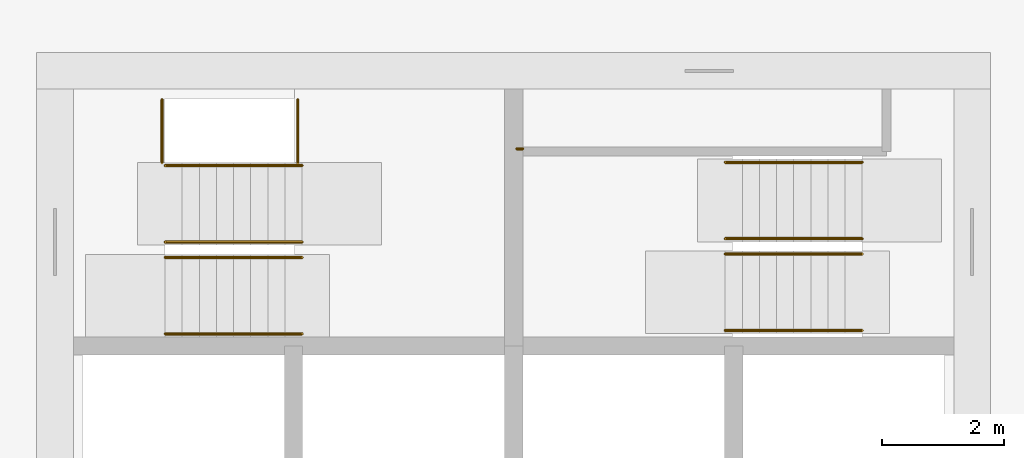
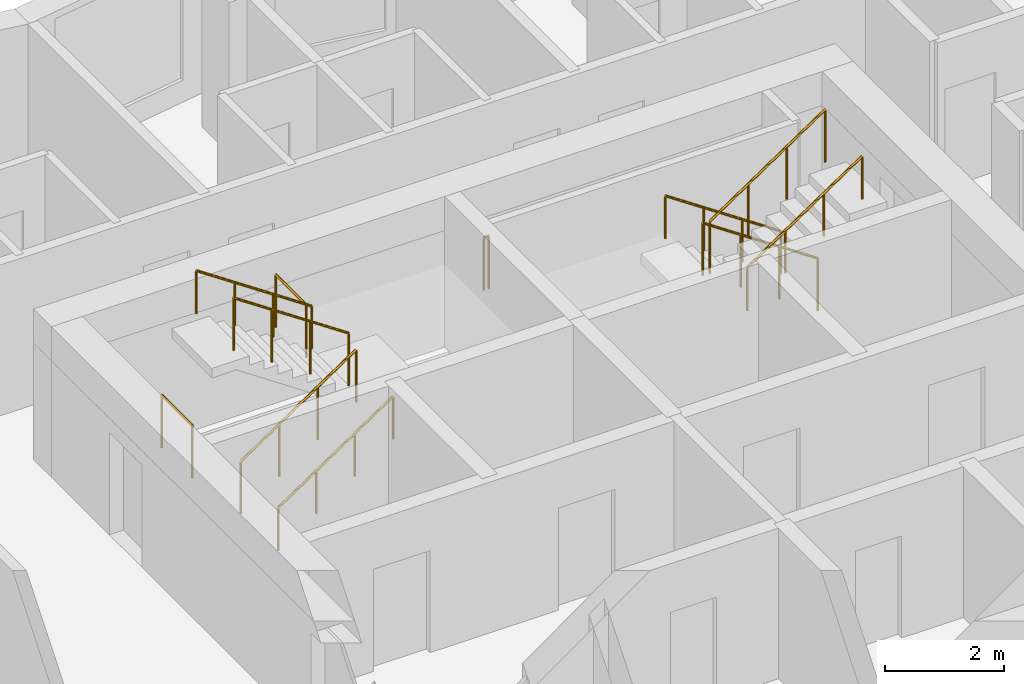
# One storey, part 11 of 13: 11 railings.
"""IFC4 building model written with IfcOpenShell, lengths in metres."""

import ifcopenshell
import ifcopenshell.guid

model = None  # the IFC model being written
_history = None  # IfcOwnerHistory: only IFC2X3 demands one
_inside = {}  # id of a spatial element -> (the spatial element, [elements in it])
_under = {}  # id of a project, library or spatial element -> (it, [spatial elements below it])
_declared = {}  # id of a project -> (the project, [libraries it declares])
_typed = {}  # id of a type object -> (the type object, [elements of that type])
_made_of = {}  # id of a material, layer set ... -> (it, [elements and type objects made of it])


def new_model(schema):
    """Start an empty IFC model of exactly this schema.

    Asked for "IFC4X3", IfcOpenShell would pick the latest addendum, in which some entities
    have other attributes; the version numbers below select the first issue.
    IFC2X3 requires an IfcOwnerHistory on every rooted entity: one is made here for all.
    """
    global model, _history
    if schema == "IFC4X3":
        model = ifcopenshell.file(schema_version=(4, 3, 0, 0))
    else:
        model = ifcopenshell.file(schema=schema)
    _inside.clear()
    _under.clear()
    _declared.clear()
    _typed.clear()
    _made_of.clear()
    _history = None
    if model.schema == "IFC2X3":
        org = make("IfcOrganization", Name="unknown")
        user = make(
            "IfcPersonAndOrganization",
            ThePerson=make("IfcPerson", FamilyName="unknown"),
            TheOrganization=org,
        )
        app = make(
            "IfcApplication",
            ApplicationDeveloper=org,
            Version="unknown",
            ApplicationFullName="unknown",
            ApplicationIdentifier="unknown",
        )
        _history = make(
            "IfcOwnerHistory",
            OwningUser=user,
            OwningApplication=app,
            ChangeAction="ADDED",
            CreationDate=0,
        )
    return model


def make(cls, **values):
    """One entity of the class cls with the attributes given. An attribute that is None is left unset."""
    return model.create_entity(
        cls, **{name: value for name, value in values.items() if value is not None}
    )


def rooted(cls, **values):
    """An entity with a GlobalId (a new one), such as an element, a storey or a relation."""
    return make(cls, GlobalId=ifcopenshell.guid.new(), OwnerHistory=_history, **values)


def si_unit(unit_type, name, prefix=None):
    """IfcSIUnit, for example si_unit("LENGTHUNIT", "METRE", prefix="MILLI")."""
    return make("IfcSIUnit", UnitType=unit_type, Prefix=prefix, Name=name)


def assignment(units):
    """IfcUnitAssignment: the units of a project."""
    return None if units is None else make("IfcUnitAssignment", Units=units)


def point(xyz):
    """IfcCartesianPoint."""
    return None if xyz is None else make("IfcCartesianPoint", Coordinates=xyz)


def direction(xyz):
    """IfcDirection."""
    return None if xyz is None else make("IfcDirection", DirectionRatios=xyz)


def frame(location, z_axis=None, x_axis=None):
    """IfcAxis2Placement3D, a coordinate frame: its origin and axes. An axis left out is left unset."""
    return make(
        "IfcAxis2Placement3D",
        Location=point(location),
        Axis=direction(z_axis),
        RefDirection=direction(x_axis),
    )


def frame_2d(location, x_axis=None):
    """IfcAxis2Placement2D, a coordinate frame in the plane: its origin and x axis."""
    return make(
        "IfcAxis2Placement2D", Location=point(location), RefDirection=direction(x_axis)
    )


def origin():
    """The frame at (0, 0, 0) with its axes left unset."""
    return frame((0.0, 0.0, 0.0))


def origin_2d():
    """The frame at (0, 0) in the plane with its x axis left unset."""
    return frame_2d((0.0, 0.0))


def place(relative_to, where):
    """IfcLocalPlacement: puts the frame where relative to a parent placement (None: the world)."""
    return make(
        "IfcLocalPlacement", PlacementRelTo=relative_to, RelativePlacement=where
    )


def context(
    kind, dimensions, precision=None, world=None, true_north=None, identifier=None
):
    """IfcGeometricRepresentationContext, for example the 3D "Model" context."""
    return make(
        "IfcGeometricRepresentationContext",
        ContextIdentifier=identifier,
        ContextType=kind,
        CoordinateSpaceDimension=dimensions,
        Precision=precision,
        WorldCoordinateSystem=world,
        TrueNorth=true_north,
    )


def subcontext(parent, identifier, kind, view, scale=None):
    """IfcGeometricRepresentationSubContext, for example "Body" below "Model"."""
    return make(
        "IfcGeometricRepresentationSubContext",
        ContextIdentifier=identifier,
        ContextType=kind,
        ParentContext=parent,
        TargetScale=scale,
        TargetView=view,
    )


def project(units=None, contexts=None):
    """IfcProject with its units and contexts."""
    return rooted(
        "IfcProject",
        Name="project",
        RepresentationContexts=contexts,
        UnitsInContext=assignment(units),
    )


def spatial(cls, under=None, at=None, **own):
    """A site, building, storey or space (cls), placed at a placement, below another one or the project."""
    s = rooted(cls, ObjectPlacement=at, **own)
    if under is not None:
        _under.setdefault(under.id(), (under, []))[1].append(s)
    return s


def profile(cls, at=None, kind="AREA", **sizes):
    """A parametric profile (cls). Its sizes go by their IFC names, for example OverallWidth=200.0."""
    return make(cls, ProfileType=kind, Position=at, **sizes)


def circle(**sizes):
    """IfcCircleProfileDef."""
    return profile("IfcCircleProfileDef", **sizes)


def extrude(swept, where, along, depth):
    """IfcExtrudedAreaSolid: the profile swept, set in the frame where, extruded along a direction by depth."""
    return make(
        "IfcExtrudedAreaSolid",
        SweptArea=swept,
        Position=where,
        ExtrudedDirection=direction(along),
        Depth=depth,
    )


def shape(context_of_items, identifier, shape_type, items):
    """IfcShapeRepresentation: the items that make up one representation, for example the "Body"."""
    return make(
        "IfcShapeRepresentation",
        ContextOfItems=context_of_items,
        RepresentationIdentifier=identifier,
        RepresentationType=shape_type,
        Items=items,
    )


def material(Name=None, Category=None):
    """IfcMaterial."""
    return make("IfcMaterial", Name=Name, Category=Category)


def made_of(thing, what):
    """Note that an element or type object is made of a material, layer set ...; save() writes the relation."""
    if what is not None:
        _made_of.setdefault(what.id(), (what, []))[1].append(thing)
    return thing


def type_object(cls, material=None, **own):
    """A type object (cls), such as IfcWallType, which elements share."""
    return made_of(rooted(cls, **own), material)


def element(
    cls,
    number,
    at=None,
    inside=None,
    cuts=None,
    type_object=None,
    material=None,
    context=None,
    identifier="Body",
    shape_type=None,
    held_by="IfcProductDefinitionShape",
    body=None,
    shapes=None,
    **own,
):
    """One element of the class cls, such as IfcWall. Its Tag is "e" and its number.

    at: its placement. inside: the storey or other place that contains it. cuts: it is an
    opening in that element (IfcRelVoidsElement). A single representation is given by context,
    identifier, shape_type and body (its items); several are given by shapes. held_by: the class
    of the entity that holds the representations. save() writes the other relations.
    """
    e = rooted(cls, Tag="e%d" % number, ObjectPlacement=at, **own)
    if body is not None:
        shapes = [shape(context, identifier, shape_type, body)]
    if shapes is not None:
        e.Representation = make(held_by, Representations=shapes)
    if inside is not None:
        _inside.setdefault(inside.id(), (inside, []))[1].append(e)
    if cuts is not None:
        rooted(
            "IfcRelVoidsElement", RelatingBuildingElement=cuts, RelatedOpeningElement=e
        )
    if type_object is not None:
        _typed.setdefault(type_object.id(), (type_object, []))[1].append(e)
    return made_of(e, material)


def aggregate(whole, parts):
    """IfcRelAggregates: a whole, such as a stair, and the parts it consists of."""
    return rooted("IfcRelAggregates", RelatingObject=whole, RelatedObjects=parts)


def save(model, path):
    """Write the relations noted so far, then the file.

    IfcRelAggregates (storeys below a building ...), IfcRelContainedInSpatialStructure (elements
    in a storey), IfcRelDefinesByType, IfcRelAssociatesMaterial and IfcRelDeclares: one each for
    every whole, place, type object, material and project.
    """
    for whole, parts in _under.values():
        aggregate(whole, parts)
    for where, things in _inside.values():
        rooted(
            "IfcRelContainedInSpatialStructure",
            RelatedElements=things,
            RelatingStructure=where,
        )
    for kind, things in _typed.values():
        rooted("IfcRelDefinesByType", RelatedObjects=things, RelatingType=kind)
    for what, things in _made_of.values():
        rooted("IfcRelAssociatesMaterial", RelatedObjects=things, RelatingMaterial=what)
    for by, libraries in _declared.values():
        rooted("IfcRelDeclares", RelatingContext=by, RelatedDefinitions=libraries)
    model.write(path)


model = new_model("IFC4")

# Units and contexts
model_context = context("Model", 3, precision=1e-05, world=origin(), true_north=direction((0.0, 1.0)))
body_context = subcontext(model_context, "Body", "Model", "MODEL_VIEW")
ifc_project = project(units=[si_unit("LENGTHUNIT", "METRE"), si_unit("AREAUNIT", "SQUARE_METRE"), si_unit("VOLUMEUNIT", "CUBIC_METRE"), si_unit("PLANEANGLEUNIT", "RADIAN"), si_unit("MASSUNIT", "GRAM", prefix="KILO")], contexts=[model_context])

# Site, building, storey
site_placement = place(None, origin())
site = spatial("IfcSite", under=ifc_project, at=site_placement, CompositionType="ELEMENT")
building_placement = place(site_placement, origin())
building = spatial("IfcBuilding", under=site, at=building_placement, Name="Windrow Commons", CompositionType="ELEMENT")
storey_placement = place(building_placement, frame((0.0, 0.0, 172.8)))
storey = spatial("IfcBuildingStorey", under=building, at=storey_placement, Name="L47", CompositionType="ELEMENT", Elevation=172.8)

# Railings
ifc_material_1 = material(Name="Steel S355", Category="steel")
railing_type_1 = type_object("IfcRailingType", Name="Core stair guard 1100", PredefinedType="GUARDRAIL", material=ifc_material_1)
railing_1_placement = place(storey_placement, frame((59.1, 62.05, 0.1889)))
element("IfcRailing", 1, at=railing_1_placement, inside=storey, type_object=railing_type_1, Name="L47 ST-A1 stair guard 1", PredefinedType="GUARDRAIL", context=body_context, shape_type="SweptSolid", body=[
    extrude(circle(Radius=0.024, at=origin_2d()), frame((0.0, 0.0, 1.076), z_axis=(0.8290030985, 0.0, 0.5592440099), x_axis=(0.0, 1.0, 0.0)), (0.0, 0.0, 1.0), 2.702),
    extrude(circle(Radius=0.021, at=origin_2d()), origin(), (0.0, 0.0, 1.0), 1.052),
    extrude(circle(Radius=0.021, at=origin_2d()), frame((0.7467, 0.0, 0.5037)), (0.0, 0.0, 1.0), 1.052),
    extrude(circle(Radius=0.021, at=origin_2d()), frame((1.4933, 0.0, 1.0074)), (0.0, 0.0, 1.0), 1.052),
    extrude(circle(Radius=0.021, at=origin_2d()), frame((2.24, 0.0, 1.5111)), (0.0, 0.0, 1.0), 1.052),
])
railing_2_placement = place(storey_placement, frame((61.34, 62.3, 1.8889)))
element("IfcRailing", 2, at=railing_2_placement, inside=storey, type_object=railing_type_1, Name="L47 ST-A1 stair guard 2", PredefinedType="GUARDRAIL", context=body_context, shape_type="SweptSolid", body=[
    extrude(circle(Radius=0.024, at=origin_2d()), frame((0.0, 0.0, 1.076), z_axis=(-0.8290030985, 0.0, 0.5592440099), x_axis=(0.0, -1.0, 0.0)), (0.0, 0.0, 1.0), 2.702),
    extrude(circle(Radius=0.021, at=origin_2d()), origin(), (0.0, 0.0, 1.0), 1.052),
    extrude(circle(Radius=0.021, at=origin_2d()), frame((-0.7467, 0.0, 0.5037)), (0.0, 0.0, 1.0), 1.052),
    extrude(circle(Radius=0.021, at=origin_2d()), frame((-1.4933, 0.0, 1.0074)), (0.0, 0.0, 1.0), 1.052),
    extrude(circle(Radius=0.021, at=origin_2d()), frame((-2.24, 0.0, 1.5111)), (0.0, 0.0, 1.0), 1.052),
])
for number, where, name in (
    (3, (59.05, 63.6, 0.0), "L47 ST-A1 stair guard 3"),
    (4, (61.27, 63.6, 1.7), "L47 ST-A1 stair guard 4"),
):
    element("IfcRailing", number, at=place(storey_placement, frame(where)), inside=storey, type_object=railing_type_1, Name=name, PredefinedType="GUARDRAIL", context=body_context, shape_type="SweptSolid", body=[
        extrude(circle(Radius=0.024, at=origin_2d()), frame((0.0, 0.0, 1.076), z_axis=(0.0, 1.0, 0.0), x_axis=(-1.0, 0.0, 0.0)), (0.0, 0.0, 1.0), 1.03),
        extrude(circle(Radius=0.021, at=origin_2d()), origin(), (0.0, 0.0, 1.0), 1.052),
        extrude(circle(Radius=0.021, at=origin_2d()), frame((0.0, 1.03, 0.0)), (0.0, 0.0, 1.0), 1.052),
    ])
railing_3_placement = place(storey_placement, frame((70.5, 62.355, 0.1889)))
element("IfcRailing", 5, at=railing_3_placement, inside=storey, type_object=railing_type_1, Name="L47 ST-A2 stair guard 1", PredefinedType="GUARDRAIL", context=body_context, shape_type="SweptSolid", body=[
    extrude(circle(Radius=0.024, at=origin_2d()), frame((0.0, 0.0, 1.076), z_axis=(-0.8290030985, 0.0, 0.5592440099), x_axis=(0.0, -1.0, 0.0)), (0.0, 0.0, 1.0), 2.702),
    extrude(circle(Radius=0.021, at=origin_2d()), origin(), (0.0, 0.0, 1.0), 1.052),
    extrude(circle(Radius=0.021, at=origin_2d()), frame((-0.7467, 0.0, 0.5037)), (0.0, 0.0, 1.0), 1.052),
    extrude(circle(Radius=0.021, at=origin_2d()), frame((-1.4933, 0.0, 1.0074)), (0.0, 0.0, 1.0), 1.052),
    extrude(circle(Radius=0.021, at=origin_2d()), frame((-2.24, 0.0, 1.5111)), (0.0, 0.0, 1.0), 1.052),
])
railing_4_placement = place(storey_placement, frame((68.26, 62.105, 1.8889)))
element("IfcRailing", 6, at=railing_4_placement, inside=storey, type_object=railing_type_1, Name="L47 ST-A2 stair guard 2", PredefinedType="GUARDRAIL", context=body_context, shape_type="SweptSolid", body=[
    extrude(circle(Radius=0.024, at=origin_2d()), frame((0.0, 0.0, 1.076), z_axis=(0.8290030985, 0.0, 0.5592440099), x_axis=(0.0, 1.0, 0.0)), (0.0, 0.0, 1.0), 2.702),
    extrude(circle(Radius=0.021, at=origin_2d()), origin(), (0.0, 0.0, 1.0), 1.052),
    extrude(circle(Radius=0.021, at=origin_2d()), frame((0.7467, 0.0, 0.5037)), (0.0, 0.0, 1.0), 1.052),
    extrude(circle(Radius=0.021, at=origin_2d()), frame((1.4933, 0.0, 1.0074)), (0.0, 0.0, 1.0), 1.052),
    extrude(circle(Radius=0.021, at=origin_2d()), frame((2.24, 0.0, 1.5111)), (0.0, 0.0, 1.0), 1.052),
])
railing_5_placement = place(storey_placement, frame((64.95, 63.825, 1.7)))
element("IfcRailing", 7, at=railing_5_placement, inside=storey, type_object=railing_type_1, Name="L47 ST-A2 stair guard 3", PredefinedType="GUARDRAIL", context=body_context, shape_type="SweptSolid", body=[
    extrude(circle(Radius=0.024, at=origin_2d()), frame((0.0, 0.0, 1.076), z_axis=(-1.0, 0.0, 0.0), x_axis=(0.0, -1.0, 0.0)), (0.0, 0.0, 1.0), 0.1),
    extrude(circle(Radius=0.021, at=origin_2d()), origin(), (0.0, 0.0, 1.0), 1.052),
    extrude(circle(Radius=0.021, at=origin_2d()), frame((-0.1, 0.0, 0.0)), (0.0, 0.0, 1.0), 1.052),
])
ifc_material_2 = material(Name="Steel S355", Category="steel")
railing_type_2 = type_object("IfcRailingType", Name="Core stair handrail 900", PredefinedType="HANDRAIL", material=ifc_material_2)
railing_6_placement = place(storey_placement, frame((59.1, 60.8, 0.1889)))
element("IfcRailing", 8, at=railing_6_placement, inside=storey, type_object=railing_type_2, Name="L47 ST-A1 stair handrail 1", PredefinedType="HANDRAIL", context=body_context, shape_type="SweptSolid", body=[
    extrude(circle(Radius=0.024, at=origin_2d()), frame((0.0, 0.0, 0.876), z_axis=(0.8290030985, 0.0, 0.5592440099), x_axis=(0.0, 1.0, 0.0)), (0.0, 0.0, 1.0), 2.702),
    extrude(circle(Radius=0.021, at=origin_2d()), origin(), (0.0, 0.0, 1.0), 0.852),
    extrude(circle(Radius=0.021, at=origin_2d()), frame((0.7467, 0.0, 0.5037)), (0.0, 0.0, 1.0), 0.852),
    extrude(circle(Radius=0.021, at=origin_2d()), frame((1.4933, 0.0, 1.0074)), (0.0, 0.0, 1.0), 0.852),
    extrude(circle(Radius=0.021, at=origin_2d()), frame((2.24, 0.0, 1.5111)), (0.0, 0.0, 1.0), 0.852),
])
for number, where, name in (
    (9, (61.34, 63.55, 1.8889), "L47 ST-A1 stair handrail 2"),
    (10, (70.5, 63.605, 0.1889), "L47 ST-A2 stair handrail 1"),
):
    element("IfcRailing", number, at=place(storey_placement, frame(where)), inside=storey, type_object=railing_type_2, Name=name, PredefinedType="HANDRAIL", context=body_context, shape_type="SweptSolid", body=[
        extrude(circle(Radius=0.024, at=origin_2d()), frame((0.0, 0.0, 0.876), z_axis=(-0.8290030985, 0.0, 0.5592440099), x_axis=(0.0, -1.0, 0.0)), (0.0, 0.0, 1.0), 2.702),
        extrude(circle(Radius=0.021, at=origin_2d()), origin(), (0.0, 0.0, 1.0), 0.852),
        extrude(circle(Radius=0.021, at=origin_2d()), frame((-0.7467, 0.0, 0.5037)), (0.0, 0.0, 1.0), 0.852),
        extrude(circle(Radius=0.021, at=origin_2d()), frame((-1.4933, 0.0, 1.0074)), (0.0, 0.0, 1.0), 0.852),
        extrude(circle(Radius=0.021, at=origin_2d()), frame((-2.24, 0.0, 1.5111)), (0.0, 0.0, 1.0), 0.852),
    ])
railing_7_placement = place(storey_placement, frame((68.26, 60.855, 1.8889)))
element("IfcRailing", 11, at=railing_7_placement, inside=storey, type_object=railing_type_2, Name="L47 ST-A2 stair handrail 2", PredefinedType="HANDRAIL", context=body_context, shape_type="SweptSolid", body=[
    extrude(circle(Radius=0.024, at=origin_2d()), frame((0.0, 0.0, 0.876), z_axis=(0.8290030985, 0.0, 0.5592440099), x_axis=(0.0, 1.0, 0.0)), (0.0, 0.0, 1.0), 2.702),
    extrude(circle(Radius=0.021, at=origin_2d()), origin(), (0.0, 0.0, 1.0), 0.852),
    extrude(circle(Radius=0.021, at=origin_2d()), frame((0.7467, 0.0, 0.5037)), (0.0, 0.0, 1.0), 0.852),
    extrude(circle(Radius=0.021, at=origin_2d()), frame((1.4933, 0.0, 1.0074)), (0.0, 0.0, 1.0), 0.852),
    extrude(circle(Radius=0.021, at=origin_2d()), frame((2.24, 0.0, 1.5111)), (0.0, 0.0, 1.0), 0.852),
])

save(model, "model.ifc")
